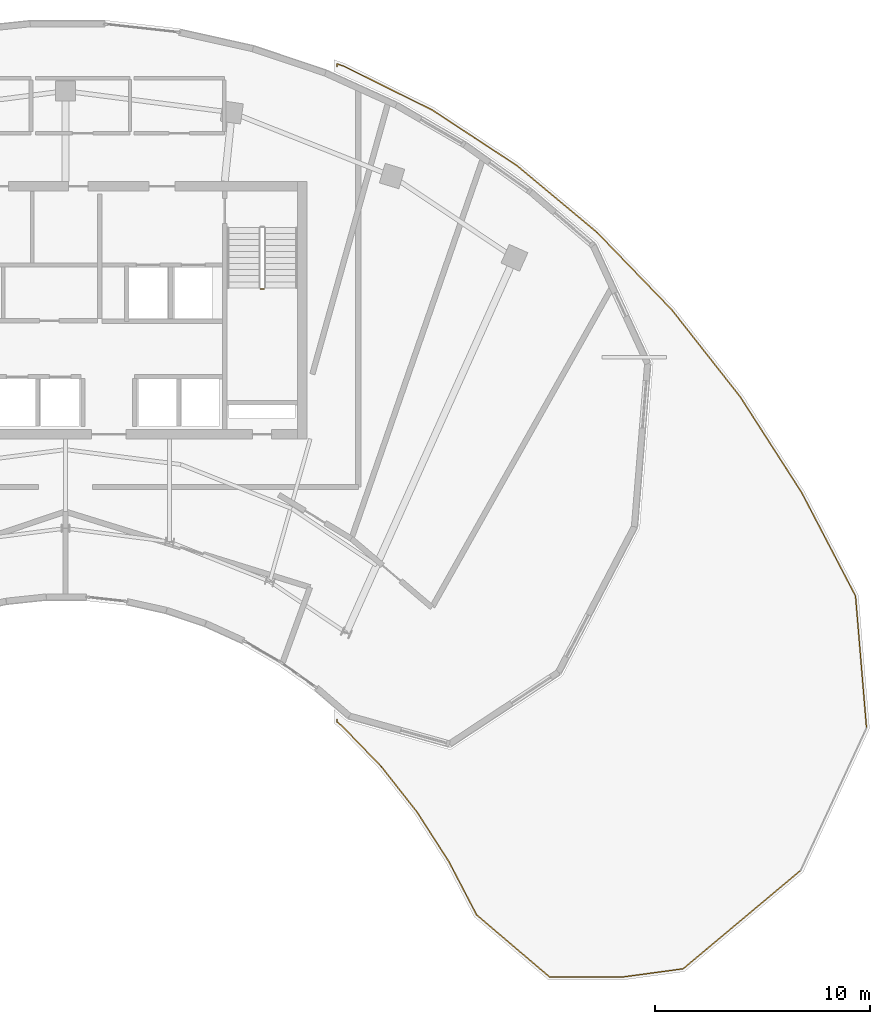
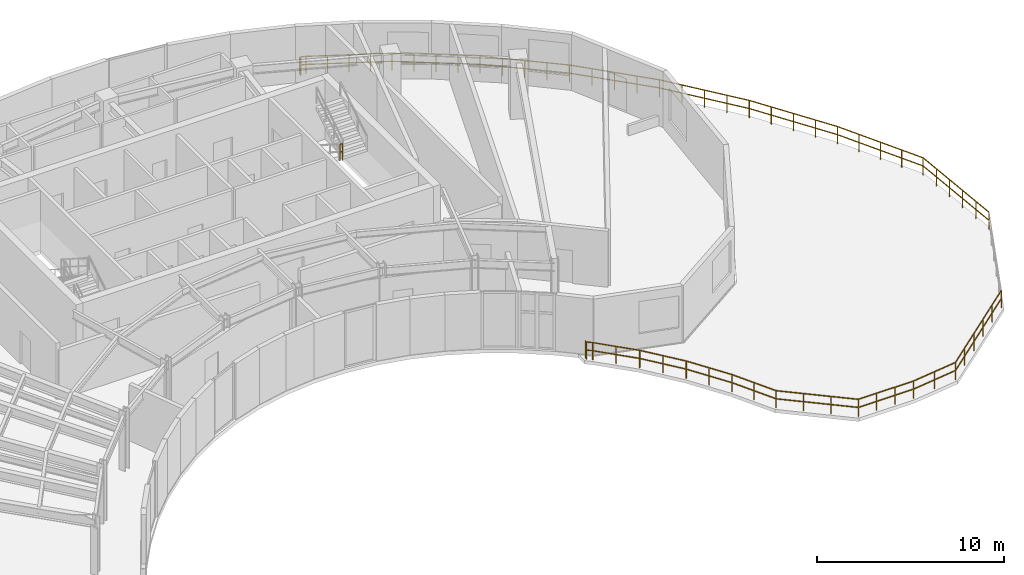
# One storey, part 13 of 15: 4 railings.
"""IFC4 building model written with IfcOpenShell, lengths in metres."""

from ifc_helpers import new_model, si_unit, direction, frame, origin, origin_2d, place, context, subcontext, project, spatial, rectangle, extrude, material, type_object, element, save


model = new_model("IFC4")

# Units and contexts
model_context = context("Model", 3, precision=1e-05, world=origin(), true_north=direction((0.0, 1.0)))
body_context = subcontext(model_context, "Body", "Model", "MODEL_VIEW")
ifc_project = project(units=[si_unit("LENGTHUNIT", "METRE"), si_unit("AREAUNIT", "SQUARE_METRE"), si_unit("VOLUMEUNIT", "CUBIC_METRE"), si_unit("PLANEANGLEUNIT", "RADIAN"), si_unit("MASSUNIT", "GRAM", prefix="KILO")], contexts=[model_context])

# Site, building, storey
site_placement = place(None, origin())
site = spatial("IfcSite", under=ifc_project, at=site_placement, CompositionType="ELEMENT")
building_placement = place(site_placement, origin())
building = spatial("IfcBuilding", under=site, at=building_placement, Name="Breltana Convention Tower", CompositionType="ELEMENT")
storey_placement = place(building_placement, frame((0.0, 0.0, 231.300048828125)))
storey = spatial("IfcBuildingStorey", under=building, at=storey_placement, Name="L56", CompositionType="ELEMENT", Elevation=231.300048828125)

# Railings
ifc_material_1 = material(Name="Stainless Steel 316L", Category="steel")
railing_type_1 = type_object("IfcRailingType", Name="RL-BALUSTRADE-1150", PredefinedType="BALUSTRADE", material=ifc_material_1)
railing_1_placement = place(storey_placement, frame((82.240966796875, 40.105712890625, 0.0)))
element("IfcRailing", 1, at=railing_1_placement, inside=storey, type_object=railing_type_1, Name="L56 sky terrace outer balustrade 1.0", PredefinedType="BALUSTRADE", context=body_context, shape_type="SweptSolid", body=[
    extrude(rectangle(XDim=0.048095703125, YDim=0.048095703125, at=origin_2d()), frame((0.0, 0.0, 1.1259765625), z_axis=(-0.766716967443, -0.641985273846, 0.0), x_axis=(0.641985273846, -0.766716967443, 0.0)), (0.0, 0.0, 1.0), 7.140380859375),
    extrude(rectangle(XDim=0.048095703125, YDim=0.048095703125, at=origin_2d()), frame((0.0, 0.0, 0.597900390625), z_axis=(-0.766716967443, -0.641985273846, 0.0), x_axis=(0.641985273846, -0.766716967443, 0.0)), (0.0, 0.0, 1.0), 7.140380859375),
    extrude(rectangle(XDim=0.048095703125, YDim=0.048095703125, at=origin_2d()), frame((-5.474609375, -4.583984375, 1.1259765625), z_axis=(-0.99092976125, -0.134380832966, 0.0), x_axis=(0.134380832966, -0.99092976125, 0.0)), (0.0, 0.0, 1.0), 2.841552734375),
    extrude(rectangle(XDim=0.048095703125, YDim=0.048095703125, at=origin_2d()), frame((-5.474609375, -4.583984375, 0.597900390625), z_axis=(-0.99092976125, -0.134380832966, 0.0), x_axis=(0.134380832966, -0.99092976125, 0.0)), (0.0, 0.0, 1.0), 2.841552734375),
    extrude(rectangle(XDim=0.048095703125, YDim=0.048095703125, at=origin_2d()), frame((-8.290283203125, -4.9658203125, 1.1259765625), z_axis=(-1.0, 0.0, 0.0), x_axis=(0.0, -1.0, 0.0)), (0.0, 0.0, 1.0), 3.400390625),
    extrude(rectangle(XDim=0.048095703125, YDim=0.048095703125, at=origin_2d()), frame((-8.290283203125, -4.9658203125, 0.597900390625), z_axis=(-1.0, 0.0, 0.0), x_axis=(0.0, -1.0, 0.0)), (0.0, 0.0, 1.0), 3.400390625),
    extrude(rectangle(XDim=0.048095703125, YDim=0.048095703125, at=origin_2d()), frame((-11.690673828125, -4.9658203125, 1.1259765625), z_axis=(-0.761883974256, 0.647713524463, 0.0), x_axis=(-0.647713524463, -0.761883974256, 0.0)), (0.0, 0.0, 1.0), 4.462890625),
    extrude(rectangle(XDim=0.048095703125, YDim=0.048095703125, at=origin_2d()), frame((-11.690673828125, -4.9658203125, 0.597900390625), z_axis=(-0.761883974256, 0.647713524463, 0.0), x_axis=(-0.647713524463, -0.761883974256, 0.0)), (0.0, 0.0, 1.0), 4.462890625),
    extrude(rectangle(XDim=0.048095703125, YDim=0.048095703125, at=origin_2d()), frame((-15.0908203125, -2.0751953125, 1.1259765625), z_axis=(-0.461730558937, 0.887020231417, 0.0), x_axis=(-0.887020231417, -0.461730558937, 0.0)), (0.0, 0.0, 1.0), 2.787109375),
    extrude(rectangle(XDim=0.048095703125, YDim=0.048095703125, at=origin_2d()), frame((-15.0908203125, -2.0751953125, 0.597900390625), z_axis=(-0.461730558937, 0.887020231417, 0.0), x_axis=(-0.887020231417, -0.461730558937, 0.0)), (0.0, 0.0, 1.0), 2.787109375),
    extrude(rectangle(XDim=0.048095703125, YDim=0.048095703125, at=origin_2d()), frame((-16.377685546875, 0.39697265625, 1.1259765625), z_axis=(-0.514495755428, 0.857492925713, 0.0), x_axis=(-0.857492925713, -0.514495755428, 0.0)), (0.0, 0.0, 1.0), 0.0126953125),
    extrude(rectangle(XDim=0.048095703125, YDim=0.048095703125, at=origin_2d()), frame((-16.377685546875, 0.39697265625, 0.597900390625), z_axis=(-0.514495755428, 0.857492925713, 0.0), x_axis=(-0.857492925713, -0.514495755428, 0.0)), (0.0, 0.0, 1.0), 0.0126953125),
    extrude(rectangle(XDim=0.048095703125, YDim=0.048095703125, at=origin_2d()), frame((-16.38427734375, 0.407958984375, 1.1259765625), z_axis=(-0.540172468355, 0.841554338371, 0.0), x_axis=(-0.841554338371, -0.540172468355, 0.0)), (0.0, 0.0, 1.0), 2.7421875),
    extrude(rectangle(XDim=0.048095703125, YDim=0.048095703125, at=origin_2d()), frame((-16.38427734375, 0.407958984375, 0.597900390625), z_axis=(-0.540172468355, 0.841554338371, 0.0), x_axis=(-0.841554338371, -0.540172468355, 0.0)), (0.0, 0.0, 1.0), 2.7421875),
    extrude(rectangle(XDim=0.048095703125, YDim=0.048095703125, at=origin_2d()), frame((-17.865478515625, 2.715576171875, 1.1259765625), z_axis=(-0.57952378636, 0.814955324569, 0.0), x_axis=(-0.814955324569, -0.57952378636, 0.0)), (0.0, 0.0, 1.0), 0.013427734375),
    extrude(rectangle(XDim=0.048095703125, YDim=0.048095703125, at=origin_2d()), frame((-17.865478515625, 2.715576171875, 0.597900390625), z_axis=(-0.57952378636, 0.814955324569, 0.0), x_axis=(-0.814955324569, -0.57952378636, 0.0)), (0.0, 0.0, 1.0), 0.013427734375),
    extrude(rectangle(XDim=0.048095703125, YDim=0.048095703125, at=origin_2d()), frame((-17.873291015625, 2.7265625, 1.1259765625), z_axis=(-0.618116780695, 0.786086283702, 0.0), x_axis=(-0.786086283702, -0.618116780695, 0.0)), (0.0, 0.0, 1.0), 2.665771484375),
    extrude(rectangle(XDim=0.048095703125, YDim=0.048095703125, at=origin_2d()), frame((-17.873291015625, 2.7265625, 0.597900390625), z_axis=(-0.618116780695, 0.786086283702, 0.0), x_axis=(-0.786086283702, -0.618116780695, 0.0)), (0.0, 0.0, 1.0), 2.665771484375),
    extrude(rectangle(XDim=0.048095703125, YDim=0.048095703125, at=origin_2d()), frame((-19.52099609375, 4.822021484375, 1.1259765625), z_axis=(-0.653619870346, 0.756823007769, 0.0), x_axis=(-0.756823007769, -0.653619870346, 0.0)), (0.0, 0.0, 1.0), 0.01416015625),
    extrude(rectangle(XDim=0.048095703125, YDim=0.048095703125, at=origin_2d()), frame((-19.52099609375, 4.822021484375, 0.597900390625), z_axis=(-0.653619870346, 0.756823007769, 0.0), x_axis=(-0.756823007769, -0.653619870346, 0.0)), (0.0, 0.0, 1.0), 0.01416015625),
    extrude(rectangle(XDim=0.0419921875, YDim=0.0419921875, at=origin_2d()), origin(), (0.0, 0.0, 1.0), 1.101806640625),
    extrude(rectangle(XDim=0.0419921875, YDim=0.0419921875, at=origin_2d()), frame((-1.094970703125, -0.916748046875, 0.0)), (0.0, 0.0, 1.0), 1.101806640625),
    extrude(rectangle(XDim=0.0419921875, YDim=0.0419921875, at=origin_2d()), frame((-2.18994140625, -1.83349609375, 0.0)), (0.0, 0.0, 1.0), 1.101806640625),
    extrude(rectangle(XDim=0.0419921875, YDim=0.0419921875, at=origin_2d()), frame((-3.28466796875, -2.75048828125, 0.0)), (0.0, 0.0, 1.0), 1.101806640625),
    extrude(rectangle(XDim=0.0419921875, YDim=0.0419921875, at=origin_2d()), frame((-4.379638671875, -3.667236328125, 0.0)), (0.0, 0.0, 1.0), 1.101806640625),
    extrude(rectangle(XDim=0.0419921875, YDim=0.0419921875, at=origin_2d()), frame((-5.474609375, -4.583984375, 0.0)), (0.0, 0.0, 1.0), 1.101806640625),
    extrude(rectangle(XDim=0.0419921875, YDim=0.0419921875, at=origin_2d()), frame((-6.88232421875, -4.77490234375, 0.0)), (0.0, 0.0, 1.0), 1.101806640625),
    extrude(rectangle(XDim=0.0419921875, YDim=0.0419921875, at=origin_2d()), frame((-8.290283203125, -4.9658203125, 0.0)), (0.0, 0.0, 1.0), 1.101806640625),
    extrude(rectangle(XDim=0.0419921875, YDim=0.0419921875, at=origin_2d()), frame((-9.423828125, -4.9658203125, 0.0)), (0.0, 0.0, 1.0), 1.101806640625),
    extrude(rectangle(XDim=0.0419921875, YDim=0.0419921875, at=origin_2d()), frame((-10.55712890625, -4.9658203125, 0.0)), (0.0, 0.0, 1.0), 1.101806640625),
    extrude(rectangle(XDim=0.0419921875, YDim=0.0419921875, at=origin_2d()), frame((-11.690673828125, -4.9658203125, 0.0)), (0.0, 0.0, 1.0), 1.101806640625),
    extrude(rectangle(XDim=0.0419921875, YDim=0.0419921875, at=origin_2d()), frame((-12.823974609375, -4.002197265625, 0.0)), (0.0, 0.0, 1.0), 1.101806640625),
    extrude(rectangle(XDim=0.0419921875, YDim=0.0419921875, at=origin_2d()), frame((-13.95751953125, -3.038818359375, 0.0)), (0.0, 0.0, 1.0), 1.101806640625),
    extrude(rectangle(XDim=0.0419921875, YDim=0.0419921875, at=origin_2d()), frame((-15.0908203125, -2.0751953125, 0.0)), (0.0, 0.0, 1.0), 1.101806640625),
    extrude(rectangle(XDim=0.0419921875, YDim=0.0419921875, at=origin_2d()), frame((-15.734375, -0.839111328125, 0.0)), (0.0, 0.0, 1.0), 1.101806640625),
    extrude(rectangle(XDim=0.0419921875, YDim=0.0419921875, at=origin_2d()), frame((-16.377685546875, 0.39697265625, 0.0)), (0.0, 0.0, 1.0), 1.101806640625),
    extrude(rectangle(XDim=0.0419921875, YDim=0.0419921875, at=origin_2d()), frame((-16.38427734375, 0.407958984375, 0.0)), (0.0, 0.0, 1.0), 1.101806640625),
    extrude(rectangle(XDim=0.0419921875, YDim=0.0419921875, at=origin_2d()), frame((-17.125, 1.561767578125, 0.0)), (0.0, 0.0, 1.0), 1.101806640625),
    extrude(rectangle(XDim=0.0419921875, YDim=0.0419921875, at=origin_2d()), frame((-17.865478515625, 2.715576171875, 0.0)), (0.0, 0.0, 1.0), 1.101806640625),
    extrude(rectangle(XDim=0.0419921875, YDim=0.0419921875, at=origin_2d()), frame((-17.873291015625, 2.7265625, 0.0)), (0.0, 0.0, 1.0), 1.101806640625),
    extrude(rectangle(XDim=0.0419921875, YDim=0.0419921875, at=origin_2d()), frame((-18.697265625, 3.7744140625, 0.0)), (0.0, 0.0, 1.0), 1.101806640625),
    extrude(rectangle(XDim=0.0419921875, YDim=0.0419921875, at=origin_2d()), frame((-19.52099609375, 4.822021484375, 0.0)), (0.0, 0.0, 1.0), 1.101806640625),
    extrude(rectangle(XDim=0.0419921875, YDim=0.0419921875, at=origin_2d()), frame((-19.5302734375, 4.832763671875, 0.0)), (0.0, 0.0, 1.0), 1.101806640625),
])
railing_2_placement = place(storey_placement, frame((62.710693359375, 44.9384765625, 0.0)))
element("IfcRailing", 2, at=railing_2_placement, inside=storey, type_object=railing_type_1, Name="L56 sky terrace outer balustrade 1.10", PredefinedType="BALUSTRADE", context=body_context, shape_type="SweptSolid", body=[
    extrude(rectangle(XDim=0.048095703125, YDim=0.048095703125, at=origin_2d()), frame((0.0, 0.0, 1.1259765625), z_axis=(-0.694687114507, 0.719312041424, 0.0), x_axis=(-0.719312041424, -0.694687114507, 0.0)), (0.0, 0.0, 1.0), 2.587646484375),
    extrude(rectangle(XDim=0.048095703125, YDim=0.048095703125, at=origin_2d()), frame((0.0, 0.0, 0.597900390625), z_axis=(-0.694687114507, 0.719312041424, 0.0), x_axis=(-0.719312041424, -0.694687114507, 0.0)), (0.0, 0.0, 1.0), 2.587646484375),
    extrude(rectangle(XDim=0.048095703125, YDim=0.048095703125, at=origin_2d()), frame((-1.797607421875, 1.861328125, 1.1259765625), z_axis=(-0.731055268243, 0.68231825036, 0.0), x_axis=(-0.68231825036, -0.731055268243, 0.0)), (0.0, 0.0, 1.0), 0.01513671875),
    extrude(rectangle(XDim=0.048095703125, YDim=0.048095703125, at=origin_2d()), frame((-1.797607421875, 1.861328125, 0.597900390625), z_axis=(-0.731055268243, 0.68231825036, 0.0), x_axis=(-0.68231825036, -0.731055268243, 0.0)), (0.0, 0.0, 1.0), 0.01513671875),
    extrude(rectangle(XDim=0.048095703125, YDim=0.048095703125, at=origin_2d()), frame((-1.80859375, 1.87158203125, 1.1259765625), z_axis=(-0.767869542903, 0.640606248083, 0.0), x_axis=(-0.640606248083, -0.767869542903, 0.0)), (0.0, 0.0, 1.0), 0.341552734375),
    extrude(rectangle(XDim=0.048095703125, YDim=0.048095703125, at=origin_2d()), frame((-1.80859375, 1.87158203125, 0.597900390625), z_axis=(-0.767869542903, 0.640606248083, 0.0), x_axis=(-0.640606248083, -0.767869542903, 0.0)), (0.0, 0.0, 1.0), 0.341552734375),
    extrude(rectangle(XDim=0.048095703125, YDim=0.048095703125, at=origin_2d()), frame((-2.07080078125, 2.09033203125, 1.1259765625), z_axis=(0.0, 1.0, 0.0), x_axis=(-1.0, 0.0, 0.0)), (0.0, 0.0, 1.0), 0.111083984375),
    extrude(rectangle(XDim=0.048095703125, YDim=0.048095703125, at=origin_2d()), frame((-2.07080078125, 2.09033203125, 0.597900390625), z_axis=(0.0, 1.0, 0.0), x_axis=(-1.0, 0.0, 0.0)), (0.0, 0.0, 1.0), 0.111083984375),
    extrude(rectangle(XDim=0.0419921875, YDim=0.0419921875, at=origin_2d()), origin(), (0.0, 0.0, 1.0), 1.101806640625),
    extrude(rectangle(XDim=0.0419921875, YDim=0.0419921875, at=origin_2d()), frame((-0.89892578125, 0.9306640625, 0.0)), (0.0, 0.0, 1.0), 1.101806640625),
    extrude(rectangle(XDim=0.0419921875, YDim=0.0419921875, at=origin_2d()), frame((-1.797607421875, 1.861328125, 0.0)), (0.0, 0.0, 1.0), 1.101806640625),
    extrude(rectangle(XDim=0.0419921875, YDim=0.0419921875, at=origin_2d()), frame((-1.80859375, 1.87158203125, 0.0)), (0.0, 0.0, 1.0), 1.101806640625),
    extrude(rectangle(XDim=0.0419921875, YDim=0.0419921875, at=origin_2d()), frame((-2.07080078125, 2.09033203125, 0.0)), (0.0, 0.0, 1.0), 1.101806640625),
    extrude(rectangle(XDim=0.0419921875, YDim=0.0419921875, at=origin_2d()), frame((-2.07080078125, 2.201416015625, 0.0)), (0.0, 0.0, 1.0), 1.101806640625),
])
railing_3_placement = place(storey_placement, frame((60.639892578125, 77.541748046875, 0.0)))
element("IfcRailing", 3, at=railing_3_placement, inside=storey, type_object=railing_type_1, Name="L56 sky terrace outer balustrade 2.0", PredefinedType="BALUSTRADE", context=body_context, shape_type="SweptSolid", body=[
    extrude(rectangle(XDim=0.048095703125, YDim=0.048095703125, at=origin_2d()), frame((0.0, 0.0, 1.1259765625), z_axis=(0.0, 1.0, 0.0), x_axis=(-1.0, 0.0, 0.0)), (0.0, 0.0, 1.0), 0.12939453125),
    extrude(rectangle(XDim=0.048095703125, YDim=0.048095703125, at=origin_2d()), frame((0.0, 0.0, 0.597900390625), z_axis=(0.0, 1.0, 0.0), x_axis=(-1.0, 0.0, 0.0)), (0.0, 0.0, 1.0), 0.12939453125),
    extrude(rectangle(XDim=0.048095703125, YDim=0.048095703125, at=origin_2d()), frame((0.0, 0.12939453125, 1.1259765625), z_axis=(0.944902704627, -0.327351307908, 0.0), x_axis=(0.327351307908, 0.944902704627, 0.0)), (0.0, 0.0, 1.0), 0.348388671875),
    extrude(rectangle(XDim=0.048095703125, YDim=0.048095703125, at=origin_2d()), frame((0.0, 0.12939453125, 0.597900390625), z_axis=(0.944902704627, -0.327351307908, 0.0), x_axis=(0.327351307908, 0.944902704627, 0.0)), (0.0, 0.0, 1.0), 0.348388671875),
    extrude(rectangle(XDim=0.048095703125, YDim=0.048095703125, at=origin_2d()), frame((0.3291015625, 0.015380859375, 1.1259765625), z_axis=(0.895983664065, -0.444087011439, 0.0), x_axis=(0.444087011439, 0.895983664065, 0.0)), (0.0, 0.0, 1.0), 4.595458984375),
    extrude(rectangle(XDim=0.048095703125, YDim=0.048095703125, at=origin_2d()), frame((0.3291015625, 0.015380859375, 0.597900390625), z_axis=(0.895983664065, -0.444087011439, 0.0), x_axis=(0.444087011439, 0.895983664065, 0.0)), (0.0, 0.0, 1.0), 4.595458984375),
    extrude(rectangle(XDim=0.048095703125, YDim=0.048095703125, at=origin_2d()), frame((4.446533203125, -2.025390625, 1.1259765625), z_axis=(0.835962588134, -0.548786435001, 0.0), x_axis=(0.548786435001, 0.835962588134, 0.0)), (0.0, 0.0, 1.0), 4.717529296875),
    extrude(rectangle(XDim=0.048095703125, YDim=0.048095703125, at=origin_2d()), frame((4.446533203125, -2.025390625, 0.597900390625), z_axis=(0.835962588134, -0.548786435001, 0.0), x_axis=(0.548786435001, 0.835962588134, 0.0)), (0.0, 0.0, 1.0), 4.717529296875),
    extrude(rectangle(XDim=0.048095703125, YDim=0.048095703125, at=origin_2d()), frame((8.39013671875, -4.6142578125, 1.1259765625), z_axis=(0.767932726326, -0.640530505002, 0.0), x_axis=(0.640530505002, 0.767932726326, 0.0)), (0.0, 0.0, 1.0), 4.85595703125),
    extrude(rectangle(XDim=0.048095703125, YDim=0.048095703125, at=origin_2d()), frame((8.39013671875, -4.6142578125, 0.597900390625), z_axis=(0.767932726326, -0.640530505002, 0.0), x_axis=(0.640530505002, 0.767932726326, 0.0)), (0.0, 0.0, 1.0), 4.85595703125),
    extrude(rectangle(XDim=0.048095703125, YDim=0.048095703125, at=origin_2d()), frame((12.119140625, -7.724609375, 1.1259765625), z_axis=(0.694632816582, -0.719364476554, 0.0), x_axis=(0.719364476554, 0.694632816582, 0.0)), (0.0, 0.0, 1.0), 5.0048828125),
    extrude(rectangle(XDim=0.048095703125, YDim=0.048095703125, at=origin_2d()), frame((12.119140625, -7.724609375, 0.597900390625), z_axis=(0.694632816582, -0.719364476554, 0.0), x_axis=(0.719364476554, 0.694632816582, 0.0)), (0.0, 0.0, 1.0), 5.0048828125),
    extrude(rectangle(XDim=0.048095703125, YDim=0.048095703125, at=origin_2d()), frame((15.595703125, -11.324951171875, 1.1259765625), z_axis=(0.618149733527, -0.786060371053, 0.0), x_axis=(0.786060371053, 0.618149733527, 0.0)), (0.0, 0.0, 1.0), 5.1572265625),
    extrude(rectangle(XDim=0.048095703125, YDim=0.048095703125, at=origin_2d()), frame((15.595703125, -11.324951171875, 0.597900390625), z_axis=(0.618149733527, -0.786060371053, 0.0), x_axis=(0.786060371053, 0.618149733527, 0.0)), (0.0, 0.0, 1.0), 5.1572265625),
    extrude(rectangle(XDim=0.048095703125, YDim=0.048095703125, at=origin_2d()), frame((18.78369140625, -15.37890625, 1.1259765625), z_axis=(0.540166842552, -0.841557949405, 0.0), x_axis=(0.841557949405, 0.540166842552, 0.0)), (0.0, 0.0, 1.0), 5.306640625),
    extrude(rectangle(XDim=0.048095703125, YDim=0.048095703125, at=origin_2d()), frame((18.78369140625, -15.37890625, 0.597900390625), z_axis=(0.540166842552, -0.841557949405, 0.0), x_axis=(0.841557949405, 0.540166842552, 0.0)), (0.0, 0.0, 1.0), 5.306640625),
    extrude(rectangle(XDim=0.048095703125, YDim=0.048095703125, at=origin_2d()), frame((21.650146484375, -19.8447265625, 1.1259765625), z_axis=(0.461787660099, -0.886990505575, 0.0), x_axis=(0.886990505575, 0.461787660099, 0.0)), (0.0, 0.0, 1.0), 5.42529296875),
    extrude(rectangle(XDim=0.048095703125, YDim=0.048095703125, at=origin_2d()), frame((21.650146484375, -19.8447265625, 0.597900390625), z_axis=(0.461787660099, -0.886990505575, 0.0), x_axis=(0.886990505575, 0.461787660099, 0.0)), (0.0, 0.0, 1.0), 5.42529296875),
    extrude(rectangle(XDim=0.048095703125, YDim=0.048095703125, at=origin_2d()), frame((24.155517578125, -24.656982421875, 1.1259765625), z_axis=(0.083291307345, -0.996525242089, 0.0), x_axis=(0.996525242089, 0.083291307345, 0.0)), (0.0, 0.0, 1.0), 6.164306640625),
    extrude(rectangle(XDim=0.048095703125, YDim=0.048095703125, at=origin_2d()), frame((24.155517578125, -24.656982421875, 0.597900390625), z_axis=(0.083291307345, -0.996525242089, 0.0), x_axis=(0.996525242089, 0.083291307345, 0.0)), (0.0, 0.0, 1.0), 6.164306640625),
    extrude(rectangle(XDim=0.0419921875, YDim=0.0419921875, at=origin_2d()), origin(), (0.0, 0.0, 1.0), 1.101806640625),
    extrude(rectangle(XDim=0.0419921875, YDim=0.0419921875, at=origin_2d()), frame((0.0, 0.12939453125, 0.0)), (0.0, 0.0, 1.0), 1.101806640625),
    extrude(rectangle(XDim=0.0419921875, YDim=0.0419921875, at=origin_2d()), frame((0.3291015625, 0.015380859375, 0.0)), (0.0, 0.0, 1.0), 1.101806640625),
    extrude(rectangle(XDim=0.0419921875, YDim=0.0419921875, at=origin_2d()), frame((1.3583984375, -0.494873046875, 0.0)), (0.0, 0.0, 1.0), 1.101806640625),
    extrude(rectangle(XDim=0.0419921875, YDim=0.0419921875, at=origin_2d()), frame((2.3876953125, -1.0048828125, 0.0)), (0.0, 0.0, 1.0), 1.101806640625),
    extrude(rectangle(XDim=0.0419921875, YDim=0.0419921875, at=origin_2d()), frame((3.417236328125, -1.51513671875, 0.0)), (0.0, 0.0, 1.0), 1.101806640625),
    extrude(rectangle(XDim=0.0419921875, YDim=0.0419921875, at=origin_2d()), frame((4.446533203125, -2.025390625, 0.0)), (0.0, 0.0, 1.0), 1.101806640625),
    extrude(rectangle(XDim=0.0419921875, YDim=0.0419921875, at=origin_2d()), frame((5.432373046875, -2.672607421875, 0.0)), (0.0, 0.0, 1.0), 1.101806640625),
    extrude(rectangle(XDim=0.0419921875, YDim=0.0419921875, at=origin_2d()), frame((6.41845703125, -3.31982421875, 0.0)), (0.0, 0.0, 1.0), 1.101806640625),
    extrude(rectangle(XDim=0.0419921875, YDim=0.0419921875, at=origin_2d()), frame((7.404296875, -3.967041015625, 0.0)), (0.0, 0.0, 1.0), 1.101806640625),
    extrude(rectangle(XDim=0.0419921875, YDim=0.0419921875, at=origin_2d()), frame((8.39013671875, -4.6142578125, 0.0)), (0.0, 0.0, 1.0), 1.101806640625),
    extrude(rectangle(XDim=0.0419921875, YDim=0.0419921875, at=origin_2d()), frame((9.322265625, -5.391845703125, 0.0)), (0.0, 0.0, 1.0), 1.101806640625),
    extrude(rectangle(XDim=0.0419921875, YDim=0.0419921875, at=origin_2d()), frame((10.254638671875, -6.16943359375, 0.0)), (0.0, 0.0, 1.0), 1.101806640625),
    extrude(rectangle(XDim=0.0419921875, YDim=0.0419921875, at=origin_2d()), frame((11.18701171875, -6.947021484375, 0.0)), (0.0, 0.0, 1.0), 1.101806640625),
    extrude(rectangle(XDim=0.0419921875, YDim=0.0419921875, at=origin_2d()), frame((12.119140625, -7.724609375, 0.0)), (0.0, 0.0, 1.0), 1.101806640625),
    extrude(rectangle(XDim=0.0419921875, YDim=0.0419921875, at=origin_2d()), frame((12.98828125, -8.624755859375, 0.0)), (0.0, 0.0, 1.0), 1.101806640625),
    extrude(rectangle(XDim=0.0419921875, YDim=0.0419921875, at=origin_2d()), frame((13.857421875, -9.52490234375, 0.0)), (0.0, 0.0, 1.0), 1.101806640625),
    extrude(rectangle(XDim=0.0419921875, YDim=0.0419921875, at=origin_2d()), frame((14.7265625, -10.4248046875, 0.0)), (0.0, 0.0, 1.0), 1.101806640625),
    extrude(rectangle(XDim=0.0419921875, YDim=0.0419921875, at=origin_2d()), frame((15.595703125, -11.324951171875, 0.0)), (0.0, 0.0, 1.0), 1.101806640625),
    extrude(rectangle(XDim=0.0419921875, YDim=0.0419921875, at=origin_2d()), frame((16.392578125, -12.33837890625, 0.0)), (0.0, 0.0, 1.0), 1.101806640625),
    extrude(rectangle(XDim=0.0419921875, YDim=0.0419921875, at=origin_2d()), frame((17.189697265625, -13.35205078125, 0.0)), (0.0, 0.0, 1.0), 1.101806640625),
    extrude(rectangle(XDim=0.0419921875, YDim=0.0419921875, at=origin_2d()), frame((17.98681640625, -14.365478515625, 0.0)), (0.0, 0.0, 1.0), 1.101806640625),
    extrude(rectangle(XDim=0.0419921875, YDim=0.0419921875, at=origin_2d()), frame((18.78369140625, -15.37890625, 0.0)), (0.0, 0.0, 1.0), 1.101806640625),
    extrude(rectangle(XDim=0.0419921875, YDim=0.0419921875, at=origin_2d()), frame((19.500244140625, -16.495361328125, 0.0)), (0.0, 0.0, 1.0), 1.101806640625),
    extrude(rectangle(XDim=0.0419921875, YDim=0.0419921875, at=origin_2d()), frame((20.216796875, -17.61181640625, 0.0)), (0.0, 0.0, 1.0), 1.101806640625),
    extrude(rectangle(XDim=0.0419921875, YDim=0.0419921875, at=origin_2d()), frame((20.93359375, -18.728271484375, 0.0)), (0.0, 0.0, 1.0), 1.101806640625),
    extrude(rectangle(XDim=0.0419921875, YDim=0.0419921875, at=origin_2d()), frame((21.650146484375, -19.8447265625, 0.0)), (0.0, 0.0, 1.0), 1.101806640625),
    extrude(rectangle(XDim=0.0419921875, YDim=0.0419921875, at=origin_2d()), frame((22.2763671875, -21.0478515625, 0.0)), (0.0, 0.0, 1.0), 1.101806640625),
    extrude(rectangle(XDim=0.0419921875, YDim=0.0419921875, at=origin_2d()), frame((22.90283203125, -22.2509765625, 0.0)), (0.0, 0.0, 1.0), 1.101806640625),
    extrude(rectangle(XDim=0.0419921875, YDim=0.0419921875, at=origin_2d()), frame((23.529296875, -23.453857421875, 0.0)), (0.0, 0.0, 1.0), 1.101806640625),
    extrude(rectangle(XDim=0.0419921875, YDim=0.0419921875, at=origin_2d()), frame((24.155517578125, -24.656982421875, 0.0)), (0.0, 0.0, 1.0), 1.101806640625),
    extrude(rectangle(XDim=0.0419921875, YDim=0.0419921875, at=origin_2d()), frame((24.25830078125, -25.885498046875, 0.0)), (0.0, 0.0, 1.0), 1.101806640625),
    extrude(rectangle(XDim=0.0419921875, YDim=0.0419921875, at=origin_2d()), frame((24.36083984375, -27.114013671875, 0.0)), (0.0, 0.0, 1.0), 1.101806640625),
    extrude(rectangle(XDim=0.0419921875, YDim=0.0419921875, at=origin_2d()), frame((24.463623046875, -28.3427734375, 0.0)), (0.0, 0.0, 1.0), 1.101806640625),
    extrude(rectangle(XDim=0.0419921875, YDim=0.0419921875, at=origin_2d()), frame((24.566162109375, -29.5712890625, 0.0)), (0.0, 0.0, 1.0), 1.101806640625),
    extrude(rectangle(XDim=0.0419921875, YDim=0.0419921875, at=origin_2d()), frame((24.6689453125, -30.7998046875, 0.0)), (0.0, 0.0, 1.0), 1.101806640625),
])
ifc_material_2 = material(Name="Steel S275 Painted", Category="steel")
railing_type_2 = type_object("IfcRailingType", Name="RL-STAIR-GUARD-1100", PredefinedType="GUARDRAIL", material=ifc_material_2)
railing_4_placement = place(storey_placement, frame((57.090087890625, 67.18994140625, 1.949951171875)))
element("IfcRailing", 4, at=railing_4_placement, inside=storey, type_object=railing_type_2, Name="L56 ST-2 stair guard 2", PredefinedType="GUARDRAIL", context=body_context, shape_type="SweptSolid", body=[
    extrude(rectangle(XDim=0.048095703125, YDim=0.048095703125, at=origin_2d()), frame((0.0, 0.0, 1.076171875), z_axis=(1.0, 0.0, 0.0), x_axis=(0.0, 1.0, 0.0)), (0.0, 0.0, 1.0), 0.14990234375),
    extrude(rectangle(XDim=0.048095703125, YDim=0.048095703125, at=origin_2d()), frame((0.0, 0.0, 0.572021484375), z_axis=(1.0, 0.0, 0.0), x_axis=(0.0, 1.0, 0.0)), (0.0, 0.0, 1.0), 0.14990234375),
    extrude(rectangle(XDim=0.0419921875, YDim=0.0419921875, at=origin_2d()), origin(), (0.0, 0.0, 1.0), 1.052001953125),
    extrude(rectangle(XDim=0.0419921875, YDim=0.0419921875, at=origin_2d()), frame((0.14990234375, 0.0, 0.0)), (0.0, 0.0, 1.0), 1.052001953125),
])

save(model, "model.ifc")
